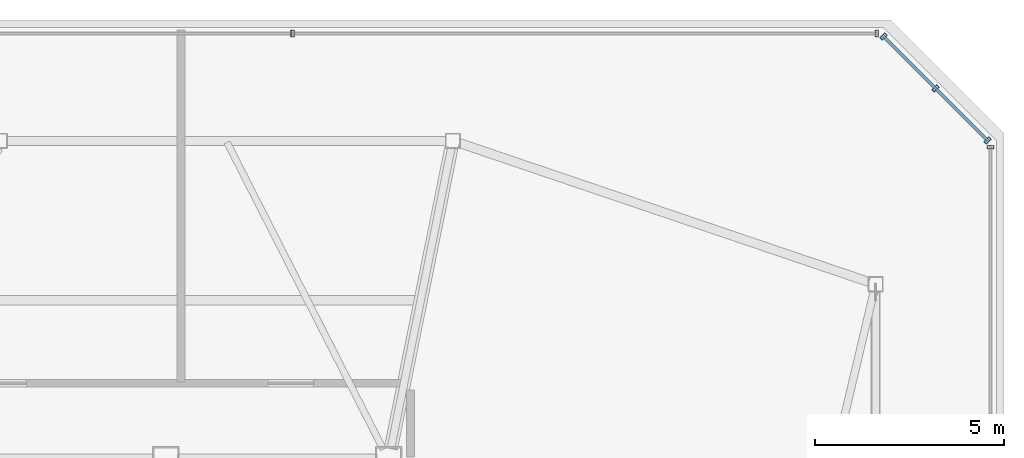
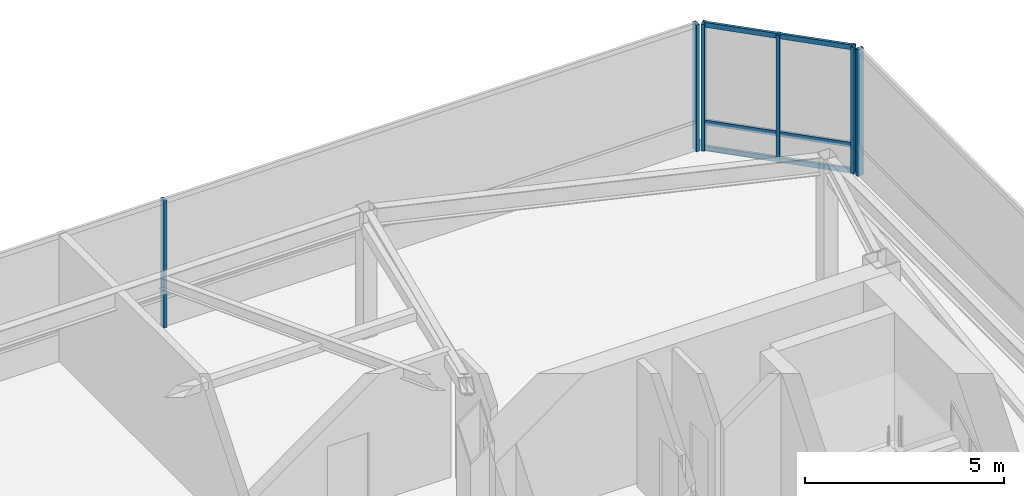
# One storey, part 15 of 21: 9 members, 3 elements without a shape of their own.
"""IFC4 building model written with IfcOpenShell, lengths in metres."""

from ifc_helpers import new_model, si_unit, direction, frame, origin, origin_2d, place, context, subcontext, project, spatial, hollow_rectangle, extrude, material, layer, layer_set, material_profile, profile_set, type_object, element, aggregate, save


model = new_model("IFC4")

# Units and contexts
model_context = context("Model", 3, precision=1e-05, world=origin(), true_north=direction((0.0, 1.0)))
body_context = subcontext(model_context, "Body", "Model", "MODEL_VIEW")
ifc_project = project(units=[si_unit("LENGTHUNIT", "METRE"), si_unit("AREAUNIT", "SQUARE_METRE"), si_unit("VOLUMEUNIT", "CUBIC_METRE"), si_unit("PLANEANGLEUNIT", "RADIAN"), si_unit("MASSUNIT", "GRAM", prefix="KILO")], contexts=[model_context])

# Site, building, storey
site_placement = place(None, origin())
site = spatial("IfcSite", under=ifc_project, at=site_placement, CompositionType="ELEMENT")
building_placement = place(site_placement, origin())
building = spatial("IfcBuilding", under=site, at=building_placement, Name="Tavrogorsk Clinical Tower", CompositionType="ELEMENT")
storey_placement = place(building_placement, frame((0.0, 0.0, 348.60009765625)))
storey = spatial("IfcBuildingStorey", under=building, at=storey_placement, Name="L81", CompositionType="ELEMENT", Elevation=348.60009765625)

# Curtain wall, members
ifc_material_1 = material(Name="Anodised aluminium and triple IGU glazing", Category="aluminium")
ifc_layer = layer(ifc_material_1, 0.179931640625)
ifc_layer_set = layer_set([ifc_layer], Name="Anodised aluminium and triple IGU glazing")
curtain_wall_type = type_object("IfcCurtainWallType", Name="CW5_SkyLobby", PredefinedType="NOTDEFINED", material=ifc_layer_set)
curtain_wall_1_placement = place(storey_placement, origin())
curtain_wall_1 = element("IfcCurtainWall", 1, at=curtain_wall_1_placement, inside=storey, type_object=curtain_wall_type, Name="L81 Curtain Wall CW-L81-DRUM-4", PredefinedType="NOTDEFINED")
ifc_material_2 = material(Name="Anodised aluminium alloy AW-6060", Category="aluminium")
ifc_material_profile_1 = material_profile(ifc_material_2, hollow_rectangle(XDim=0.090087890625, YDim=0.179931640625, WallThickness=0.00634765625, at=origin_2d()), Name="RHS-180x90x6.3")
ifc_profile_set_1 = profile_set([ifc_material_profile_1], Name="Anodised aluminium alloy AW-6060")
member_type_1 = type_object("IfcMemberType", Name="CwMullion_180x90", PredefinedType="MULLION", material=ifc_profile_set_1)
member_1_placement = place(storey_placement, frame((7.7578125, 17.639892578125, 0.0), z_axis=(0.0, 0.0, 1.0), x_axis=(1.0, 0.0, 0.0)))
member_1 = element("IfcMember", 2, at=member_1_placement, type_object=member_type_1, Name="CW-L81-DRUM-4 Mullion 3", PredefinedType="MULLION", context=body_context, shape_type="SweptSolid", body=[
    extrude(hollow_rectangle(XDim=0.090087890625, YDim=0.179931640625, WallThickness=0.00634765625, at=origin_2d()), origin(), (0.0, 0.0, 1.0), 3.89990234375),
])
member_2_placement = place(storey_placement, frame((23.228759765625, 17.639892578125, 0.0), z_axis=(0.0, 0.0, 1.0), x_axis=(1.0, 0.0, 0.0)))
member_2 = element("IfcMember", 3, at=member_2_placement, type_object=member_type_1, Name="CW-L81-DRUM-4 Mullion 4", PredefinedType="MULLION", context=body_context, shape_type="SweptSolid", body=[
    extrude(hollow_rectangle(XDim=0.090087890625, YDim=0.179931640625, WallThickness=0.00634765625, at=origin_2d()), origin(), (0.0, 0.0, 1.0), 3.89990234375),
])
aggregate(curtain_wall_1, [member_1, member_2])

curtain_wall_2_placement = place(storey_placement, origin())
curtain_wall_2 = element("IfcCurtainWall", 4, at=curtain_wall_2_placement, inside=storey, type_object=curtain_wall_type, Name="L81 Curtain Wall CW-L81-DRUM-5", PredefinedType="NOTDEFINED")
member_3_placement = place(storey_placement, frame((23.407958984375, 17.565673828125, 0.0), z_axis=(0.0, 0.0, 1.0), x_axis=(0.707106781187, -0.707106781187, 0.0)))
member_3 = element("IfcMember", 5, at=member_3_placement, type_object=member_type_1, Name="CW-L81-DRUM-5 Mullion 1", PredefinedType="MULLION", context=body_context, shape_type="SweptSolid", body=[
    extrude(hollow_rectangle(XDim=0.090087890625, YDim=0.179931640625, WallThickness=0.00634765625, at=origin_2d()), origin(), (0.0, 0.0, 1.0), 3.89990234375),
])
member_4_placement = place(storey_placement, frame((24.786865234375, 16.186767578125, 0.0), z_axis=(0.0, 0.0, 1.0), x_axis=(0.707106781187, -0.707106781187, 0.0)))
member_4 = element("IfcMember", 6, at=member_4_placement, type_object=member_type_1, Name="CW-L81-DRUM-5 Mullion 2", PredefinedType="MULLION", context=body_context, shape_type="SweptSolid", body=[
    extrude(hollow_rectangle(XDim=0.090087890625, YDim=0.179931640625, WallThickness=0.00634765625, at=origin_2d()), origin(), (0.0, 0.0, 1.0), 3.89990234375),
])
member_5_placement = place(storey_placement, frame((26.165771484375, 14.807861328125, 0.0), z_axis=(0.0, 0.0, 1.0), x_axis=(0.707106781187, -0.707106781187, 0.0)))
member_5 = element("IfcMember", 7, at=member_5_placement, type_object=member_type_1, Name="CW-L81-DRUM-5 Mullion 3", PredefinedType="MULLION", context=body_context, shape_type="SweptSolid", body=[
    extrude(hollow_rectangle(XDim=0.090087890625, YDim=0.179931640625, WallThickness=0.00634765625, at=origin_2d()), origin(), (0.0, 0.0, 1.0), 3.89990234375),
])

# Curtain wall, member
curtain_wall_3_placement = place(storey_placement, origin())
curtain_wall_3 = element("IfcCurtainWall", 8, at=curtain_wall_3_placement, inside=storey, type_object=curtain_wall_type, Name="L81 Curtain Wall CW-L81-DRUM-6", PredefinedType="NOTDEFINED")
member_6_placement = place(storey_placement, frame((26.239990234375, 14.628662109375, 0.0), z_axis=(0.0, 0.0, 1.0), x_axis=(0.0, -1.0, 0.0)))
member_6 = element("IfcMember", 9, at=member_6_placement, type_object=member_type_1, Name="CW-L81-DRUM-6 Mullion 1", PredefinedType="MULLION", context=body_context, shape_type="SweptSolid", body=[
    extrude(hollow_rectangle(XDim=0.090087890625, YDim=0.179931640625, WallThickness=0.00634765625, at=origin_2d()), origin(), (0.0, 0.0, 1.0), 3.89990234375),
])
aggregate(curtain_wall_3, [member_6])

# Member
ifc_material_3 = material(Name="Anodised aluminium alloy AW-6060", Category="aluminium")
ifc_material_profile_2 = material_profile(ifc_material_3, hollow_rectangle(XDim=0.074951171875, YDim=0.14990234375, WallThickness=0.0048828125, at=origin_2d()), Name="RHS-150x75x5")
ifc_profile_set_2 = profile_set([ifc_material_profile_2], Name="Anodised aluminium alloy AW-6060")
member_type_2 = type_object("IfcMemberType", Name="CwTransom_150x75", PredefinedType="USERDEFINED", material=ifc_profile_set_2)
member_7_placement = place(storey_placement, frame((23.407958984375, 17.565673828125, 0.0498046875), z_axis=(0.707106781187, -0.707106781187, 0.0), x_axis=(0.707106781187, 0.707106781187, 0.0)))
member_7 = element("IfcMember", 10, at=member_7_placement, type_object=member_type_2, Name="CW-L81-DRUM-5 Transom 1", ObjectType="TRANSOM", PredefinedType="USERDEFINED", context=body_context, shape_type="SweptSolid", body=[
    extrude(hollow_rectangle(XDim=0.074951171875, YDim=0.14990234375, WallThickness=0.0048828125, at=origin_2d()), origin(), (0.0, 0.0, 1.0), 3.900146484375),
])

member_8_placement = place(storey_placement, frame((23.407958984375, 17.565673828125, 0.849853515625), z_axis=(0.707106781187, -0.707106781187, 0.0), x_axis=(0.707106781187, 0.707106781187, 0.0)))
member_8 = element("IfcMember", 11, at=member_8_placement, type_object=member_type_2, Name="CW-L81-DRUM-5 Transom 2", ObjectType="TRANSOM", PredefinedType="USERDEFINED", context=body_context, shape_type="SweptSolid", body=[
    extrude(hollow_rectangle(XDim=0.074951171875, YDim=0.14990234375, WallThickness=0.0048828125, at=origin_2d()), origin(), (0.0, 0.0, 1.0), 3.900146484375),
])

member_9_placement = place(storey_placement, frame((23.407958984375, 17.565673828125, 3.849853515625), z_axis=(0.707106781187, -0.707106781187, 0.0), x_axis=(0.707106781187, 0.707106781187, 0.0)))
member_9 = element("IfcMember", 12, at=member_9_placement, type_object=member_type_2, Name="CW-L81-DRUM-5 Transom 3", ObjectType="TRANSOM", PredefinedType="USERDEFINED", context=body_context, shape_type="SweptSolid", body=[
    extrude(hollow_rectangle(XDim=0.074951171875, YDim=0.14990234375, WallThickness=0.0048828125, at=origin_2d()), origin(), (0.0, 0.0, 1.0), 3.900146484375),
])

aggregate(curtain_wall_2, [member_3, member_4, member_5, member_7, member_8, member_9])

save(model, "model.ifc")
